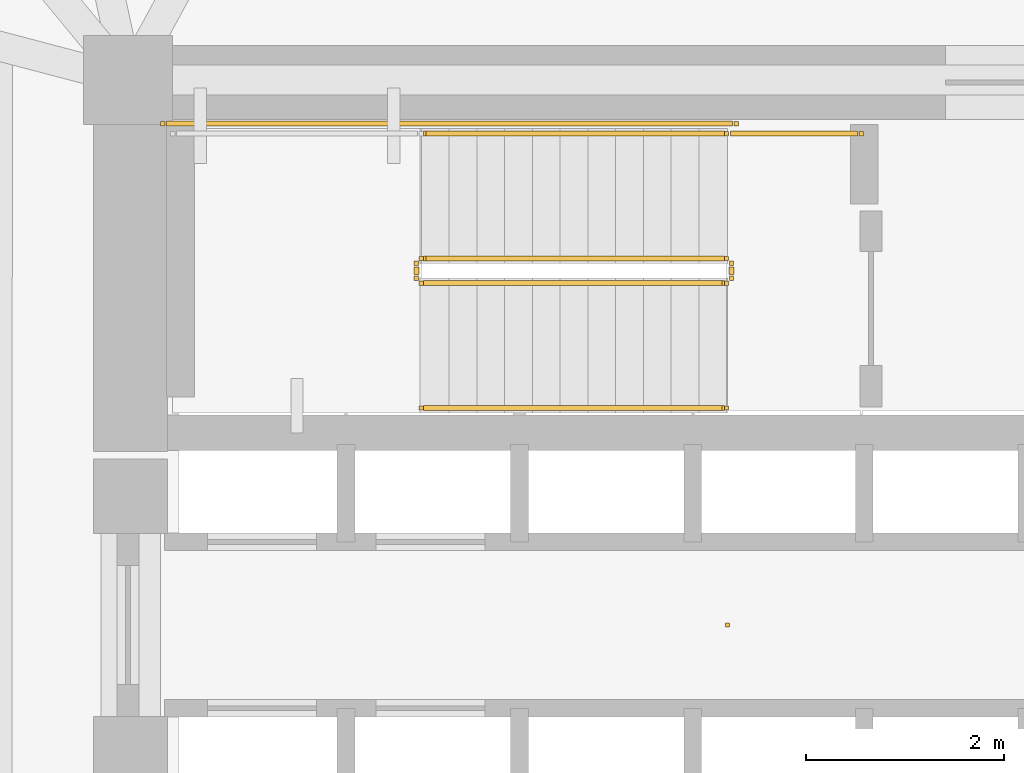
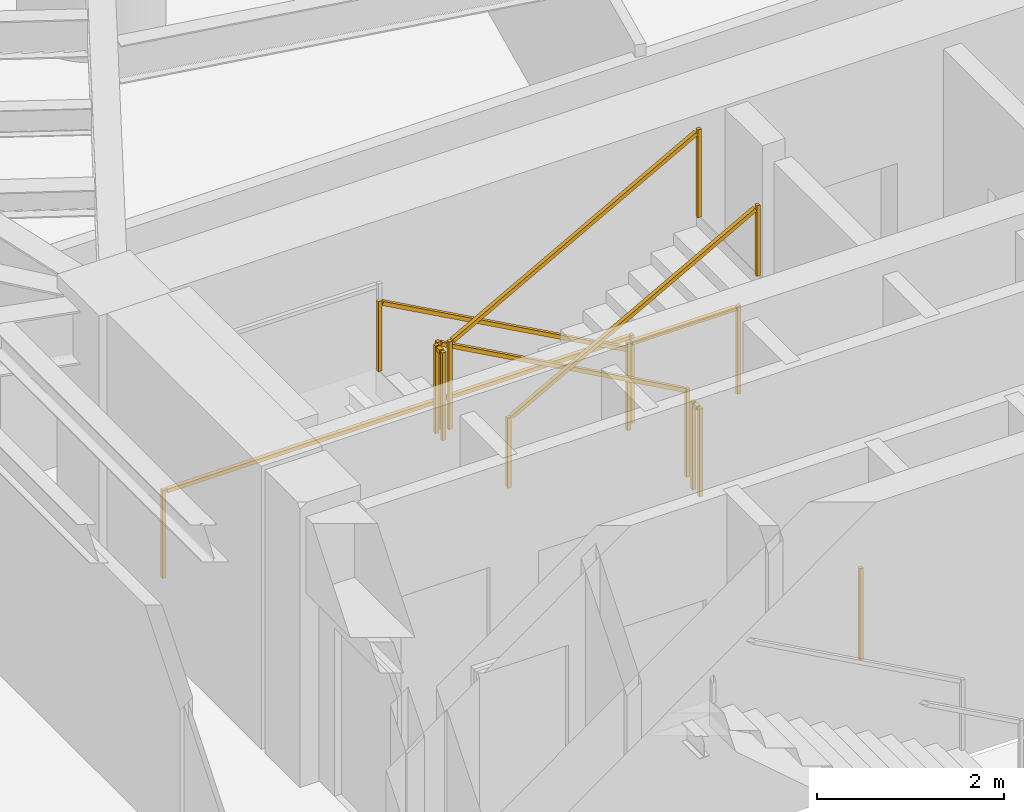
# One storey, part 9 of 10: 9 railings.
"""IFC4 building model written with IfcOpenShell, lengths in metres."""

from ifc_helpers import new_model, si_unit, direction, frame, origin, origin_2d, place, context, subcontext, project, spatial, rectangle, extrude, material, type_object, element, save


model = new_model("IFC4")

# Units and contexts
model_context = context("Model", 3, precision=1e-05, world=origin(), true_north=direction((0.0, 1.0)))
body_context = subcontext(model_context, "Body", "Model", "MODEL_VIEW")
ifc_project = project(units=[si_unit("LENGTHUNIT", "METRE"), si_unit("AREAUNIT", "SQUARE_METRE"), si_unit("VOLUMEUNIT", "CUBIC_METRE"), si_unit("PLANEANGLEUNIT", "RADIAN"), si_unit("MASSUNIT", "GRAM", prefix="KILO")], contexts=[model_context])

# Site, building, storey
site_placement = place(None, origin())
site = spatial("IfcSite", under=ifc_project, at=site_placement, CompositionType="ELEMENT")
building_placement = place(site_placement, origin())
building = spatial("IfcBuilding", under=site, at=building_placement, Name="Yunling Apex Tower", CompositionType="ELEMENT")
storey_placement = place(building_placement, frame((0.0, 0.0, 23.800048828125)))
storey = spatial("IfcBuildingStorey", under=building, at=storey_placement, Name="L07", CompositionType="ELEMENT", Elevation=23.800048828125)

# Railings
ifc_material_1 = material(Name="Bronze anodised aluminium", Category="aluminium")
railing_type_1 = type_object("IfcRailingType", Name="RL-BAL-1200", PredefinedType="BALUSTRADE", material=ifc_material_1)
railing_1_placement = place(storey_placement, origin())
element("IfcRailing", 1, at=railing_1_placement, inside=storey, type_object=railing_type_1, Name="RL-TATR-L07", PredefinedType="BALUSTRADE", context=body_context, shape_type="SweptSolid", body=[
    extrude(rectangle(XDim=0.0439453125, YDim=0.0439453125, at=origin_2d()), origin(), (0.0, 0.0, 1.0), 1.199951171875),
])
ifc_material_2 = material(Name="Steel Q355B", Category="steel")
railing_type_2 = type_object("IfcRailingType", Name="RL-GRD-1150", PredefinedType="GUARDRAIL", material=ifc_material_2)
railing_2_placement = place(storey_placement, frame((-0.010009765625, 3.699951171875, 0.154052734375)))
element("IfcRailing", 2, at=railing_2_placement, inside=storey, type_object=railing_type_2, Name="L07 ST-1 stair guard 1", PredefinedType="GUARDRAIL", context=body_context, shape_type="SweptSolid", body=[
    extrude(rectangle(XDim=0.0439453125, YDim=0.0439453125, at=origin_2d()), origin(), (0.0, 0.0, 1.0), 1.14990234375),
    extrude(rectangle(XDim=0.0439453125, YDim=0.0439453125, at=origin_2d()), frame((-3.080078125, 0.0, 1.69580078125)), (0.0, 0.0, 1.0), 1.14990234375),
    extrude(rectangle(XDim=0.050048828125, YDim=0.050048828125, at=origin_2d()), frame((-0.03369140625, 0.0, 1.143310546875), z_axis=(-0.876004717809, 0.0, 0.482302534076), x_axis=(0.0, -1.0, 0.0)), (0.0, 0.0, 1.0), 3.439453125),
])
railing_3_placement = place(storey_placement, frame((-3.139892578125, 3.64990234375, 1.849853515625)))
element("IfcRailing", 3, at=railing_3_placement, inside=storey, type_object=railing_type_2, Name="L07 ST-1 stair guard 2", PredefinedType="GUARDRAIL", context=body_context, shape_type="SweptSolid", body=[
    extrude(rectangle(XDim=0.0439453125, YDim=0.0439453125, at=origin_2d()), origin(), (0.0, 0.0, 1.0), 1.14990234375),
    extrude(rectangle(XDim=0.0439453125, YDim=0.0439453125, at=origin_2d()), frame((0.0, -0.14990234375, 0.0)), (0.0, 0.0, 1.0), 1.14990234375),
    extrude(rectangle(XDim=0.050048828125, YDim=0.050048828125, at=origin_2d()), frame((0.0, -0.038330078125, 1.125), z_axis=(0.0, -1.0, 0.0), x_axis=(1.0, 0.0, 0.0)), (0.0, 0.0, 1.0), 0.0732421875),
])
railing_4_placement = place(storey_placement, frame((-3.090087890625, 3.449951171875, 2.004150390625)))
element("IfcRailing", 4, at=railing_4_placement, inside=storey, type_object=railing_type_2, Name="L07 ST-1 stair guard 4", PredefinedType="GUARDRAIL", context=body_context, shape_type="SweptSolid", body=[
    extrude(rectangle(XDim=0.0439453125, YDim=0.0439453125, at=origin_2d()), origin(), (0.0, 0.0, 1.0), 1.14990234375),
    extrude(rectangle(XDim=0.0439453125, YDim=0.0439453125, at=origin_2d()), frame((3.080078125, 0.0, 1.69580078125)), (0.0, 0.0, 1.0), 1.14990234375),
    extrude(rectangle(XDim=0.050048828125, YDim=0.050048828125, at=origin_2d()), frame((0.03369140625, 0.0, 1.143310546875), z_axis=(0.876004717809, 0.0, 0.482302534076), x_axis=(0.0, 1.0, 0.0)), (0.0, 0.0, 1.0), 3.439453125),
])
railing_5_placement = place(storey_placement, frame((0.0400390625, 3.64990234375, 0.0)))
element("IfcRailing", 5, at=railing_5_placement, inside=storey, type_object=railing_type_2, Name="L07 ST-1 stair guard 5", PredefinedType="GUARDRAIL", context=body_context, shape_type="SweptSolid", body=[
    extrude(rectangle(XDim=0.0439453125, YDim=0.0439453125, at=origin_2d()), origin(), (0.0, 0.0, 1.0), 1.14990234375),
    extrude(rectangle(XDim=0.0439453125, YDim=0.0439453125, at=origin_2d()), frame((0.0, -0.14990234375, 0.0)), (0.0, 0.0, 1.0), 1.14990234375),
    extrude(rectangle(XDim=0.050048828125, YDim=0.050048828125, at=origin_2d()), frame((0.0, -0.038330078125, 1.125), z_axis=(0.0, -1.0, 0.0), x_axis=(1.0, 0.0, 0.0)), (0.0, 0.0, 1.0), 0.0732421875),
])
railing_6_placement = place(storey_placement, frame((1.35009765625, 4.9599609375, 0.0)))
element("IfcRailing", 6, at=railing_6_placement, inside=storey, type_object=railing_type_2, Name="L07 ST-1 stair guard 6", PredefinedType="GUARDRAIL", context=body_context, shape_type="SweptSolid", body=[
    extrude(rectangle(XDim=0.0439453125, YDim=0.0439453125, at=origin_2d()), origin(), (0.0, 0.0, 1.0), 1.14990234375),
    extrude(rectangle(XDim=0.0439453125, YDim=0.0439453125, at=origin_2d()), frame((-1.360107421875, 0.0, 0.0)), (0.0, 0.0, 1.0), 1.14990234375),
    extrude(rectangle(XDim=0.050048828125, YDim=0.050048828125, at=origin_2d()), frame((-0.038330078125, 0.0, 1.125), z_axis=(-1.0, 0.0, 0.0), x_axis=(0.0, -1.0, 0.0)), (0.0, 0.0, 1.0), 1.283447265625),
])
railing_7_placement = place(storey_placement, frame((0.090087890625, 5.06005859375, 0.0)))
element("IfcRailing", 7, at=railing_7_placement, inside=storey, type_object=railing_type_2, Name="L07 ST-1 stair guard 7", PredefinedType="GUARDRAIL", context=body_context, shape_type="SweptSolid", body=[
    extrude(rectangle(XDim=0.0439453125, YDim=0.0439453125, at=origin_2d()), origin(), (0.0, 0.0, 1.0), 1.14990234375),
    extrude(rectangle(XDim=0.0439453125, YDim=0.0439453125, at=origin_2d()), frame((-5.7900390625, 0.0, 0.0)), (0.0, 0.0, 1.0), 1.14990234375),
    extrude(rectangle(XDim=0.050048828125, YDim=0.050048828125, at=origin_2d()), frame((-0.038330078125, 0.0, 1.125), z_axis=(-1.0, 0.0, 0.0), x_axis=(0.0, -1.0, 0.0)), (0.0, 0.0, 1.0), 5.71337890625),
])
ifc_material_3 = material(Name="Silver anodised aluminium", Category="aluminium")
railing_type_3 = type_object("IfcRailingType", Name="RL-HND-900", PredefinedType="HANDRAIL", material=ifc_material_3)
railing_8_placement = place(storey_placement, frame((-0.010009765625, 4.9599609375, 0.154052734375)))
element("IfcRailing", 8, at=railing_8_placement, inside=storey, type_object=railing_type_3, Name="L07 ST-1 stair handrail 1", PredefinedType="HANDRAIL", context=body_context, shape_type="SweptSolid", body=[
    extrude(rectangle(XDim=0.0439453125, YDim=0.0439453125, at=origin_2d()), origin(), (0.0, 0.0, 1.0), 0.919921875),
    extrude(rectangle(XDim=0.0439453125, YDim=0.0439453125, at=origin_2d()), frame((-3.080078125, 0.0, 1.69580078125)), (0.0, 0.0, 1.0), 0.919921875),
    extrude(rectangle(XDim=0.050048828125, YDim=0.050048828125, at=origin_2d()), frame((-0.03369140625, 0.0, 0.913330078125), z_axis=(-0.876004717809, 0.0, 0.482302534076), x_axis=(0.0, -1.0, 0.0)), (0.0, 0.0, 1.0), 3.439453125),
])
railing_9_placement = place(storey_placement, frame((-3.090087890625, 2.18994140625, 2.004150390625)))
element("IfcRailing", 9, at=railing_9_placement, inside=storey, type_object=railing_type_3, Name="L07 ST-1 stair handrail 2", PredefinedType="HANDRAIL", context=body_context, shape_type="SweptSolid", body=[
    extrude(rectangle(XDim=0.0439453125, YDim=0.0439453125, at=origin_2d()), origin(), (0.0, 0.0, 1.0), 0.919921875),
    extrude(rectangle(XDim=0.0439453125, YDim=0.0439453125, at=origin_2d()), frame((3.080078125, 0.0, 1.69580078125)), (0.0, 0.0, 1.0), 0.919921875),
    extrude(rectangle(XDim=0.050048828125, YDim=0.050048828125, at=origin_2d()), frame((0.03369140625, 0.0, 0.913330078125), z_axis=(0.876004717809, 0.0, 0.482302534076), x_axis=(0.0, 1.0, 0.0)), (0.0, 0.0, 1.0), 3.439453125),
])

save(model, "model.ifc")
